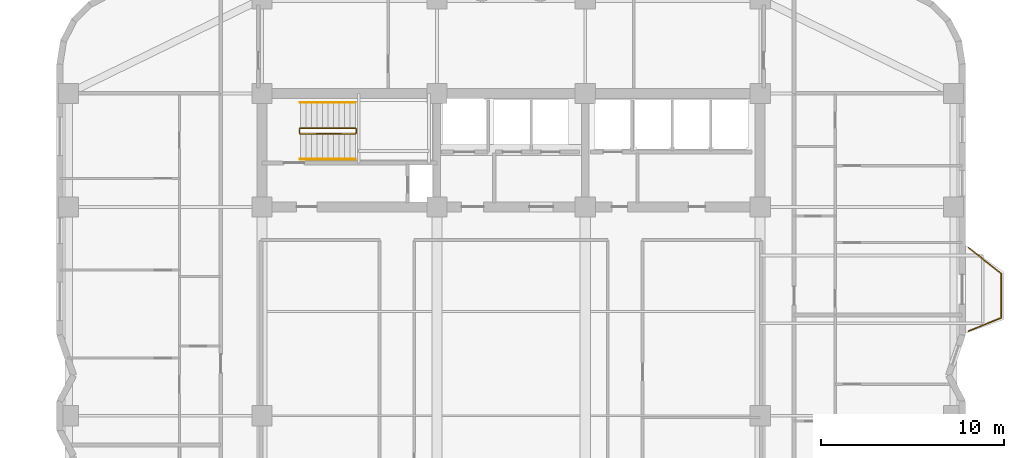
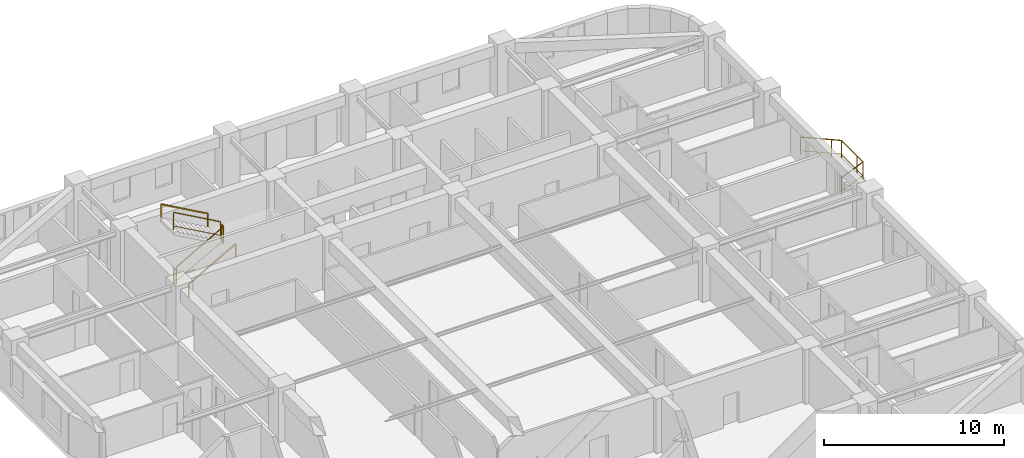
# One storey, part 9 of 9: 7 railings.
"""IFC4 building model written with IfcOpenShell, lengths in metres."""

from ifc_helpers import new_model, si_unit, direction, frame, origin, origin_2d, place, context, subcontext, project, spatial, rectangle, extrude, material, type_object, element, save


model = new_model("IFC4")

# Units and contexts
model_context = context("Model", 3, precision=1e-05, world=origin(), true_north=direction((0.0, 1.0)))
body_context = subcontext(model_context, "Body", "Model", "MODEL_VIEW")
ifc_project = project(units=[si_unit("LENGTHUNIT", "METRE"), si_unit("AREAUNIT", "SQUARE_METRE"), si_unit("VOLUMEUNIT", "CUBIC_METRE"), si_unit("PLANEANGLEUNIT", "RADIAN"), si_unit("MASSUNIT", "GRAM", prefix="KILO")], contexts=[model_context])

# Site, building, storey
site_placement = place(None, origin())
site = spatial("IfcSite", under=ifc_project, at=site_placement, CompositionType="ELEMENT")
building_placement = place(site_placement, origin())
building = spatial("IfcBuilding", under=site, at=building_placement, Name="Svetorya Sky Lyceum", CompositionType="ELEMENT")
storey_placement = place(building_placement, frame((0.0, 0.0, 121.60009765625)))
storey = spatial("IfcBuildingStorey", under=building, at=storey_placement, Name="L30", CompositionType="ELEMENT", Elevation=121.60009765625)

# Railings
ifc_material_1 = material(Name="Laminated safety glass and stainless AISI 316", Category="glass")
railing_type_1 = type_object("IfcRailingType", Name="RL-BAL-1200", PredefinedType="BALUSTRADE", material=ifc_material_1)
railing_1_placement = place(storey_placement, frame((64.169921875, 37.3798828125, 0.0)))
element("IfcRailing", 1, at=railing_1_placement, inside=storey, type_object=railing_type_1, Name="L30 Balcony Balustrade BAL-E1", PredefinedType="BALUSTRADE", context=body_context, shape_type="SweptSolid", body=[
    extrude(rectangle(XDim=0.048095703125, YDim=0.048095703125, at=origin_2d()), frame((0.0, 0.0, 1.17578125), z_axis=(0.783008919264, -0.622010476079, 0.0), x_axis=(0.622010476079, 0.783008919264, 0.0)), (0.0, 0.0, 1.0), 2.298828125),
    extrude(rectangle(XDim=0.02392578125, YDim=0.02392578125, at=origin_2d()), frame((0.0, 0.0, 0.25), z_axis=(0.783008919264, -0.622010476079, 0.0), x_axis=(0.622010476079, 0.783008919264, 0.0)), (0.0, 0.0, 1.0), 2.298828125),
    extrude(rectangle(XDim=0.048095703125, YDim=0.048095703125, at=origin_2d()), frame((1.800048828125, -1.429931640625, 1.17578125), z_axis=(0.0, -1.0, 0.0), x_axis=(1.0, 0.0, 0.0)), (0.0, 0.0, 1.0), 2.39990234375),
    extrude(rectangle(XDim=0.02392578125, YDim=0.02392578125, at=origin_2d()), frame((1.800048828125, -1.429931640625, 0.25), z_axis=(0.0, -1.0, 0.0), x_axis=(1.0, 0.0, 0.0)), (0.0, 0.0, 1.0), 2.39990234375),
    extrude(rectangle(XDim=0.048095703125, YDim=0.048095703125, at=origin_2d()), frame((1.800048828125, -3.829833984375, 1.17578125), z_axis=(-0.926697865975, -0.375807218129, 0.0), x_axis=(0.375807218129, -0.926697865975, 0.0)), (0.0, 0.0, 1.0), 1.9423828125),
    extrude(rectangle(XDim=0.02392578125, YDim=0.02392578125, at=origin_2d()), frame((1.800048828125, -3.829833984375, 0.25), z_axis=(-0.926697865975, -0.375807218129, 0.0), x_axis=(0.375807218129, -0.926697865975, 0.0)), (0.0, 0.0, 1.0), 1.9423828125),
    extrude(rectangle(XDim=0.0419921875, YDim=0.0419921875, at=origin_2d()), origin(), (0.0, 0.0, 1.0), 1.15185546875),
    extrude(rectangle(XDim=0.0419921875, YDim=0.0419921875, at=origin_2d()), frame((1.370361328125, -1.088623046875, 0.0)), (0.0, 0.0, 1.0), 1.15185546875),
    extrude(rectangle(XDim=0.0419921875, YDim=0.0419921875, at=origin_2d()), frame((1.800048828125, -1.429931640625, 0.0)), (0.0, 0.0, 1.0), 1.15185546875),
    extrude(rectangle(XDim=0.0419921875, YDim=0.0419921875, at=origin_2d()), frame((1.800048828125, -3.179931640625, 0.0)), (0.0, 0.0, 1.0), 1.15185546875),
    extrude(rectangle(XDim=0.0419921875, YDim=0.0419921875, at=origin_2d()), frame((1.800048828125, -3.829833984375, 0.0)), (0.0, 0.0, 1.0), 1.15185546875),
    extrude(rectangle(XDim=0.0419921875, YDim=0.0419921875, at=origin_2d()), frame((0.0, -4.559814453125, 0.0)), (0.0, 0.0, 1.0), 1.15185546875),
])
ifc_material_2 = material(Name="Painted galvanized stair well guard")
railing_type_2 = type_object("IfcRailingType", Name="RL-STR-GUARD-1200", PredefinedType="GUARDRAIL", material=ifc_material_2)
railing_2_placement = place(storey_placement, frame((27.699951171875, 43.60009765625, 0.16796875)))
element("IfcRailing", 2, at=railing_2_placement, inside=storey, type_object=railing_type_2, Name="L30 ST-N stair guard 1", PredefinedType="GUARDRAIL", context=body_context, shape_type="SweptSolid", body=[
    extrude(rectangle(XDim=0.048095703125, YDim=0.048095703125, at=origin_2d()), frame((0.0, 0.0, 1.17578125), z_axis=(0.872272294576, 0.0, 0.489020494575), x_axis=(0.0, 1.0, 0.0)), (0.0, 0.0, 1.0), 3.439208984375),
    extrude(rectangle(XDim=0.02392578125, YDim=0.02392578125, at=origin_2d()), frame((0.0, 0.0, 0.25), z_axis=(0.872272294576, 0.0, 0.489020494575), x_axis=(0.0, 1.0, 0.0)), (0.0, 0.0, 1.0), 3.439208984375),
    extrude(rectangle(XDim=0.0419921875, YDim=0.0419921875, at=origin_2d()), origin(), (0.0, 0.0, 1.0), 1.15185546875),
    extrude(rectangle(XDim=0.0419921875, YDim=0.0419921875, at=origin_2d()), frame((3.0, 0.0, 1.681884765625)), (0.0, 0.0, 1.0), 1.15185546875),
])
railing_3_placement = place(storey_placement, frame((30.75, 43.64990234375, 1.849853515625)))
element("IfcRailing", 3, at=railing_3_placement, inside=storey, type_object=railing_type_2, Name="L30 ST-N stair guard 2", PredefinedType="GUARDRAIL", context=body_context, shape_type="SweptSolid", body=[
    extrude(rectangle(XDim=0.048095703125, YDim=0.048095703125, at=origin_2d()), frame((0.0, 0.0, 1.17578125), z_axis=(0.0, 1.0, 0.0), x_axis=(-1.0, 0.0, 0.0)), (0.0, 0.0, 1.0), 0.2001953125),
    extrude(rectangle(XDim=0.02392578125, YDim=0.02392578125, at=origin_2d()), frame((0.0, 0.0, 0.25), z_axis=(0.0, 1.0, 0.0), x_axis=(-1.0, 0.0, 0.0)), (0.0, 0.0, 1.0), 0.2001953125),
    extrude(rectangle(XDim=0.0419921875, YDim=0.0419921875, at=origin_2d()), origin(), (0.0, 0.0, 1.0), 1.15185546875),
    extrude(rectangle(XDim=0.0419921875, YDim=0.0419921875, at=origin_2d()), frame((0.0, 0.2001953125, 0.0)), (0.0, 0.0, 1.0), 1.15185546875),
])
railing_4_placement = place(storey_placement, frame((30.699951171875, 43.89990234375, 2.01806640625)))
element("IfcRailing", 4, at=railing_4_placement, inside=storey, type_object=railing_type_2, Name="L30 ST-N stair guard 3", PredefinedType="GUARDRAIL", context=body_context, shape_type="SweptSolid", body=[
    extrude(rectangle(XDim=0.048095703125, YDim=0.048095703125, at=origin_2d()), frame((0.0, 0.0, 1.17578125), z_axis=(-0.872272294576, 0.0, 0.489020494575), x_axis=(0.0, -1.0, 0.0)), (0.0, 0.0, 1.0), 3.439208984375),
    extrude(rectangle(XDim=0.02392578125, YDim=0.02392578125, at=origin_2d()), frame((0.0, 0.0, 0.25), z_axis=(-0.872272294576, 0.0, 0.489020494575), x_axis=(0.0, -1.0, 0.0)), (0.0, 0.0, 1.0), 3.439208984375),
    extrude(rectangle(XDim=0.0419921875, YDim=0.0419921875, at=origin_2d()), origin(), (0.0, 0.0, 1.0), 1.15185546875),
    extrude(rectangle(XDim=0.0419921875, YDim=0.0419921875, at=origin_2d()), frame((-3.0, 0.0, 1.681884765625)), (0.0, 0.0, 1.0), 1.15185546875),
])
railing_5_placement = place(storey_placement, frame((27.64990234375, 43.64990234375, 0.0)))
element("IfcRailing", 5, at=railing_5_placement, inside=storey, type_object=railing_type_2, Name="L30 ST-N stair guard 4", PredefinedType="GUARDRAIL", context=body_context, shape_type="SweptSolid", body=[
    extrude(rectangle(XDim=0.048095703125, YDim=0.048095703125, at=origin_2d()), frame((0.0, 0.0, 1.17578125), z_axis=(0.0, 1.0, 0.0), x_axis=(-1.0, 0.0, 0.0)), (0.0, 0.0, 1.0), 0.2001953125),
    extrude(rectangle(XDim=0.02392578125, YDim=0.02392578125, at=origin_2d()), frame((0.0, 0.0, 0.25), z_axis=(0.0, 1.0, 0.0), x_axis=(-1.0, 0.0, 0.0)), (0.0, 0.0, 1.0), 0.2001953125),
    extrude(rectangle(XDim=0.0419921875, YDim=0.0419921875, at=origin_2d()), origin(), (0.0, 0.0, 1.0), 1.15185546875),
    extrude(rectangle(XDim=0.0419921875, YDim=0.0419921875, at=origin_2d()), frame((0.0, 0.2001953125, 0.0)), (0.0, 0.0, 1.0), 1.15185546875),
])
ifc_material_3 = material(Name="Brushed stainless AISI 304 stair handrail")
railing_type_3 = type_object("IfcRailingType", Name="RL-STR-HAND-920", PredefinedType="HANDRAIL", material=ifc_material_3)
railing_6_placement = place(storey_placement, frame((27.699951171875, 42.199951171875, 0.16796875)))
element("IfcRailing", 6, at=railing_6_placement, inside=storey, type_object=railing_type_3, Name="L30 ST-N stair handrail 1", PredefinedType="HANDRAIL", context=body_context, shape_type="SweptSolid", body=[
    extrude(rectangle(XDim=0.048095703125, YDim=0.048095703125, at=origin_2d()), frame((0.0, 0.0, 0.8759765625), z_axis=(0.872272294576, 0.0, 0.489020494575), x_axis=(0.0, 1.0, 0.0)), (0.0, 0.0, 1.0), 3.439208984375),
    extrude(rectangle(XDim=0.0419921875, YDim=0.0419921875, at=origin_2d()), origin(), (0.0, 0.0, 1.0), 0.851806640625),
    extrude(rectangle(XDim=0.0419921875, YDim=0.0419921875, at=origin_2d()), frame((3.0, 0.0, 1.681884765625)), (0.0, 0.0, 1.0), 0.851806640625),
])
railing_7_placement = place(storey_placement, frame((30.699951171875, 45.300048828125, 2.01806640625)))
element("IfcRailing", 7, at=railing_7_placement, inside=storey, type_object=railing_type_3, Name="L30 ST-N stair handrail 2", PredefinedType="HANDRAIL", context=body_context, shape_type="SweptSolid", body=[
    extrude(rectangle(XDim=0.048095703125, YDim=0.048095703125, at=origin_2d()), frame((0.0, 0.0, 0.8759765625), z_axis=(-0.872272294576, 0.0, 0.489020494575), x_axis=(0.0, -1.0, 0.0)), (0.0, 0.0, 1.0), 3.439208984375),
    extrude(rectangle(XDim=0.0419921875, YDim=0.0419921875, at=origin_2d()), origin(), (0.0, 0.0, 1.0), 0.851806640625),
    extrude(rectangle(XDim=0.0419921875, YDim=0.0419921875, at=origin_2d()), frame((-3.0, 0.0, 1.681884765625)), (0.0, 0.0, 1.0), 0.851806640625),
])

save(model, "model.ifc")
